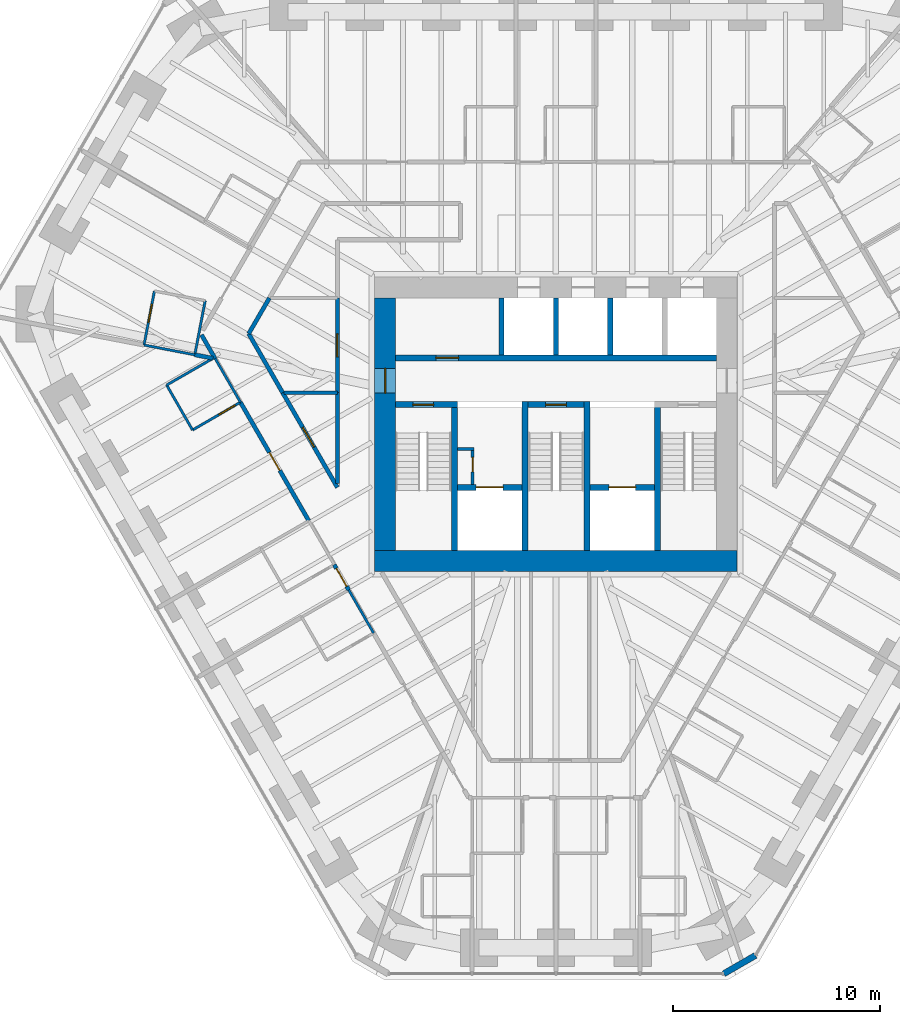
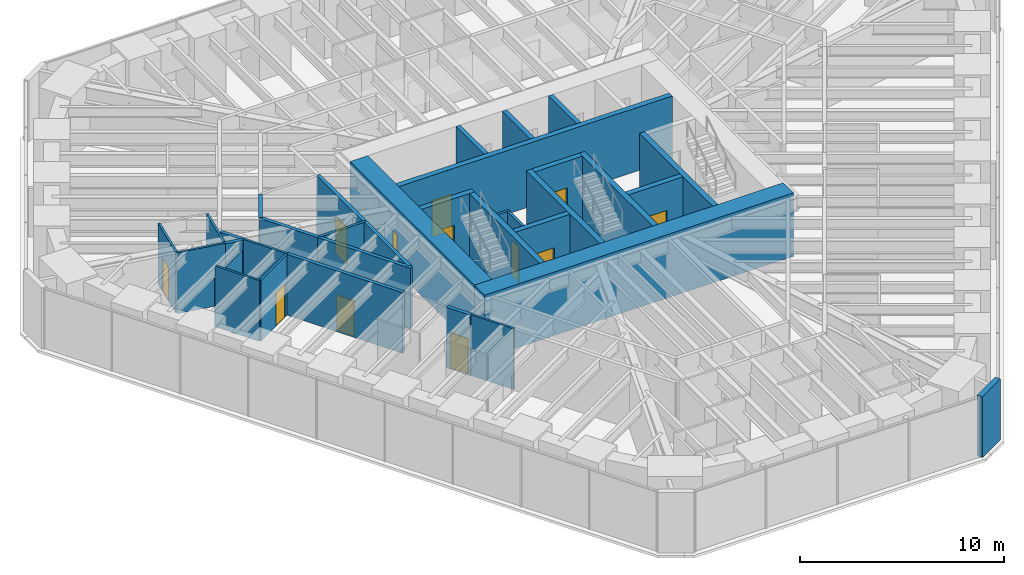
# One storey, part 12 of 16: 35 walls, 13 doors, 13 openings.
"""IFC4 building model written with IfcOpenShell, lengths in metres."""

from ifc_helpers import new_model, si_unit, direction, frame, frame_2d, origin, place, context, subcontext, project, spatial, rectangle, extrude, material, layer, layer_set, type_object, element, fill, save


model = new_model("IFC4")

# Units and contexts
model_context = context("Model", 3, precision=1e-05, world=origin(), true_north=direction((0.0, 1.0)))
body_context = subcontext(model_context, "Body", "Model", "MODEL_VIEW")
ifc_project = project(units=[si_unit("LENGTHUNIT", "METRE"), si_unit("AREAUNIT", "SQUARE_METRE"), si_unit("VOLUMEUNIT", "CUBIC_METRE"), si_unit("PLANEANGLEUNIT", "RADIAN"), si_unit("MASSUNIT", "GRAM", prefix="KILO")], contexts=[model_context])

# Site, building, storey
site_placement = place(None, origin())
site = spatial("IfcSite", under=ifc_project, at=site_placement, CompositionType="ELEMENT")
building_placement = place(site_placement, origin())
building = spatial("IfcBuilding", under=site, at=building_placement, Name="Sandreach Pilgrim Tower", CompositionType="ELEMENT")
storey_placement = place(building_placement, frame((0.0, 0.0, 183.199951171875)))
storey = spatial("IfcBuildingStorey", under=building, at=storey_placement, Name="L45", CompositionType="ELEMENT", Elevation=183.199951171875)

# Walls
ifc_material_1 = material(Name="Gypsum board on steel studs", Category="steel")
ifc_layer_1 = layer(ifc_material_1, 0.14990234375)
ifc_layer_set_1 = layer_set([ifc_layer_1], Name="Back of house wall 150")
wall_type_1 = type_object("IfcWallType", Name="Back of house wall 150", PredefinedType="PARTITIONING", material=ifc_layer_set_1)
wall_1_placement = place(storey_placement, frame((-10.550048828125, 1.52001953125, 0.0), z_axis=(0.0, 0.0, 1.0), x_axis=(-1.0, 0.0, 0.0)))
element("IfcWall", 1, at=wall_1_placement, inside=storey, type_object=wall_type_1, Name="Back of house wall L45-039", PredefinedType="PARTITIONING", context=body_context, shape_type="SweptSolid", body=[
    extrude(rectangle(XDim=2.5849609375, YDim=0.14990234375, at=frame_2d((1.29248046875, 0.0))), origin(), (0.0, 0.0, 1.0), 3.64013671875),
])
ifc_material_2 = material(Name="Moisture-resistant gypsum board on steel studs", Category="steel")
ifc_layer_2 = layer(ifc_material_2, 0.1201171875)
ifc_layer_set_2 = layer_set([ifc_layer_2], Name="Bathroom partition 120")
wall_type_2 = type_object("IfcWallType", Name="Bathroom partition 120", PredefinedType="PARTITIONING", material=ifc_layer_set_2)
wall_2_placement = place(storey_placement, frame((-19.88134765625, 3.82275390625, 0.0), z_axis=(0.0, 0.0, 1.0), x_axis=(0.981896775229, -0.189416796496, 0.0)))
element("IfcWall", 2, at=wall_2_placement, inside=storey, type_object=wall_type_2, Name="Bathroom partition L45-002", PredefinedType="PARTITIONING", context=body_context, shape_type="SweptSolid", body=[
    extrude(rectangle(XDim=2.49658203125, YDim=0.1201171875, at=frame_2d((1.248291015625, 0.0))), origin(), (0.0, 0.0, 1.0), 3.64013671875),
])

# Wall, opening, door
wall_3_placement = place(storey_placement, frame((-19.3798828125, 6.429931640625, 0.0), z_axis=(0.0, 0.0, 1.0), x_axis=(-0.18885765444, -0.982004473696, 0.0)))
wall_3 = element("IfcWall", 3, at=wall_3_placement, inside=storey, type_object=wall_type_2, Name="Bathroom partition L45-003", PredefinedType="PARTITIONING", context=body_context, shape_type="SweptSolid", body=[
    extrude(rectangle(XDim=2.6474609375, YDim=0.1201171875, at=frame_2d((1.32373046875, 0.0))), origin(), (0.0, 0.0, 1.0), 3.64013671875),
])
opening_1_placement = place(wall_3_placement, frame((0.64990234375, 0.0, 0.0)))
opening_1 = element("IfcOpeningElement", 4, at=opening_1_placement, cuts=wall_3, Name="Opening D09-16B", PredefinedType="OPENING", context=body_context, shape_type="SweptSolid", body=[
    extrude(rectangle(XDim=0.89990234375, YDim=2.030029296875, at=frame_2d((0.449951171875, 1.01513671875))), frame((0.0, 0.06005859375, 0.0), z_axis=(0.0, -1.0, 0.0), x_axis=(1.0, 0.0, 0.0)), (0.0, 0.0, 1.0), 0.1201171875),
])
ifc_material_3 = material(Name="Timber door, steel frame", Category="steel")
door_type_1 = type_object("IfcDoorType", Name="Bathroom door", OperationType="SINGLE_SWING_LEFT", PredefinedType="DOOR", material=ifc_material_3)
door_1_placement = place(opening_1_placement, origin())
door_1 = element("IfcDoor", 5, at=door_1_placement, inside=storey, type_object=door_type_1, Name="Door 4516B", OperationType="SINGLE_SWING_LEFT", OverallHeight=2.030029296875, OverallWidth=0.89990234375, PredefinedType="DOOR", context=body_context, shape_type="SweptSolid", body=[
    extrude(rectangle(XDim=0.89990234375, YDim=2.030029296875, at=frame_2d((0.449951171875, 1.01513671875))), frame((0.0, 0.02490234375, 0.0), z_axis=(0.0, -1.0, 0.0), x_axis=(1.0, 0.0, 0.0)), (0.0, 0.0, 1.0), 0.050048828125),
])
fill(opening_1, door_1)

# Wall
wall_4_placement = place(storey_placement, frame((-18.7900390625, 1.889892578125, 0.0), z_axis=(0.0, 0.0, 1.0), x_axis=(0.499159685399, -0.866510016372, 0.0)))
element("IfcWall", 6, at=wall_4_placement, inside=storey, type_object=wall_type_2, Name="Bathroom partition L45-005", PredefinedType="PARTITIONING", context=body_context, shape_type="SweptSolid", body=[
    extrude(rectangle(XDim=2.504150390625, YDim=0.1201171875, at=frame_2d((1.251953125, 0.0))), origin(), (0.0, 0.0, 1.0), 3.64013671875),
])

# Wall, opening, door
wall_5_placement = place(storey_placement, frame((-17.5400390625, -0.280029296875, 0.0), z_axis=(0.0, 0.0, 1.0), x_axis=(0.86498992408, 0.501789229896, 0.0)))
wall_5 = element("IfcWall", 7, at=wall_5_placement, inside=storey, type_object=wall_type_2, Name="Bathroom partition L45-006", PredefinedType="PARTITIONING", context=body_context, shape_type="SweptSolid", body=[
    extrude(rectangle(XDim=2.670654296875, YDim=0.1201171875, at=frame_2d((1.33544921875, 0.0))), origin(), (0.0, 0.0, 1.0), 3.64013671875),
])
opening_2_placement = place(wall_5_placement, frame((1.470458984375, 0.0, 0.0)))
opening_2 = element("IfcOpeningElement", 8, at=opening_2_placement, cuts=wall_5, Name="Opening D09-15B", PredefinedType="OPENING", context=body_context, shape_type="SweptSolid", body=[
    extrude(rectangle(XDim=0.89990234375, YDim=2.030029296875, at=frame_2d((0.449951171875, 1.01513671875))), frame((0.0, 0.06005859375, 0.0), z_axis=(0.0, -1.0, 0.0), x_axis=(1.0, 0.0, 0.0)), (0.0, 0.0, 1.0), 0.1201171875),
])
door_2_placement = place(opening_2_placement, origin())
door_2 = element("IfcDoor", 9, at=door_2_placement, inside=storey, type_object=door_type_1, Name="Door 4515B", OperationType="SINGLE_SWING_RIGHT", OverallHeight=2.030029296875, OverallWidth=0.89990234375, PredefinedType="DOOR", context=body_context, shape_type="SweptSolid", body=[
    extrude(rectangle(XDim=0.89990234375, YDim=2.030029296875, at=frame_2d((0.449951171875, 1.01513671875))), frame((0.0, 0.02490234375, 0.0), z_axis=(0.0, -1.0, 0.0), x_axis=(1.0, 0.0, 0.0)), (0.0, 0.0, 1.0), 0.050048828125),
])
fill(opening_2, door_2)

# Walls
wall_6_placement = place(storey_placement, frame((-17.429931640625, 3.35009765625, 0.0), z_axis=(0.0, 0.0, 1.0), x_axis=(0.188159009227, 0.982138578433, 0.0)))
element("IfcWall", 10, at=wall_6_placement, inside=storey, type_object=wall_type_2, Name="Bathroom partition L45-007", PredefinedType="PARTITIONING", context=body_context, shape_type="SweptSolid", body=[
    extrude(rectangle(XDim=2.6572265625, YDim=0.1201171875, at=frame_2d((1.32861328125, 0.0))), origin(), (0.0, 0.0, 1.0), 3.64013671875),
])
wall_7_placement = place(storey_placement, frame((-16.623779296875, 3.1376953125, 0.0), z_axis=(0.0, 0.0, 1.0), x_axis=(-0.866525185869, -0.499133351175, 0.0)))
element("IfcWall", 11, at=wall_7_placement, inside=storey, type_object=wall_type_2, Name="Bathroom partition L45-014", PredefinedType="PARTITIONING", context=body_context, shape_type="SweptSolid", body=[
    extrude(rectangle(XDim=2.5, YDim=0.1201171875, at=frame_2d((1.25, 0.0))), origin(), (0.0, 0.0, 1.0), 3.0380859375),
])
wall_8_placement = place(storey_placement, frame((-16.44677734375, 3.171875, 0.0), z_axis=(0.0, 0.0, 1.0), x_axis=(0.500329330271, -0.865835181354, 0.0)))
element("IfcWall", 12, at=wall_8_placement, inside=storey, type_object=wall_type_2, Name="Bathroom partition L45-015", PredefinedType="PARTITIONING", context=body_context, shape_type="SweptSolid", body=[
    extrude(rectangle(XDim=2.437255859375, YDim=0.1201171875, at=frame_2d((1.21875, 0.0))), origin(), (0.0, 0.0, 1.0), 3.64013671875),
])
wall_9_placement = place(storey_placement, frame((-10.0, -8.0, 0.0), z_axis=(0.0, 0.0, 1.0), x_axis=(0.499693115345, -0.866202511239, 0.0)))
element("IfcWall", 13, at=wall_9_placement, inside=storey, type_object=wall_type_2, Name="Bathroom partition L45-043", PredefinedType="PARTITIONING", context=body_context, shape_type="SweptSolid", body=[
    extrude(rectangle(XDim=2.4013671875, YDim=0.1201171875, at=frame_2d((1.20068359375, 0.0))), origin(), (0.0, 0.0, 1.0), 3.64013671875),
])
ifc_material_4 = material(Name="Concrete 10000 psi", Category="concrete")
ifc_layer_3 = layer(ifc_material_4, 0.300048828125)
ifc_layer_set_3 = layer_set([ifc_layer_3], Name="Core inner wall 300")
wall_type_3 = type_object("IfcWallType", Name="Core inner wall 300", PredefinedType="SHEAR", material=ifc_layer_set_3)
for number, where, z_axis, x_axis, name in (
    (14, (-4.89990234375, -6.10009765625, 0.0), (0.0, 0.0, 1.0), (0.0, 1.0, 0.0), "Core wall I0 L45"),
    (15, (-1.5, -6.10009765625, 0.0), (0.0, 0.0, 1.0), (0.0, 1.0, 0.0), "Core wall I1 L45"),
    (16, (1.5, -6.10009765625, 0.0), (0.0, 0.0, 1.0), (0.0, 1.0, 0.0), "Core wall I2 L45"),
    (17, (4.89990234375, -6.10009765625, 0.0), (0.0, 0.0, 1.0), (0.0, 1.0, 0.0), "Core wall I3 L45"),
):
    element("IfcWall", number, at=place(storey_placement, frame(where, z_axis=z_axis, x_axis=x_axis)), inside=storey, type_object=wall_type_3, Name=name, PredefinedType="SHEAR", context=body_context, shape_type="SweptSolid", body=[
        extrude(rectangle(XDim=7.2001953125, YDim=0.300048828125, at=frame_2d((3.60009765625, 0.0))), origin(), (0.0, 0.0, 1.0), 3.800048828125),
    ])

# Wall, opening, door
wall_10_placement = place(storey_placement, frame((-7.75, 0.949951171875, 0.0), z_axis=(0.0, 0.0, 1.0), x_axis=(1.0, 0.0, 0.0)))
wall_10 = element("IfcWall", 18, at=wall_10_placement, inside=storey, type_object=wall_type_3, Name="Core wall SN1 L45", PredefinedType="SHEAR", context=body_context, shape_type="SweptSolid", body=[
    extrude(rectangle(XDim=3.0, YDim=0.300048828125, at=frame_2d((1.5, 0.0))), origin(), (0.0, 0.0, 1.0), 3.800048828125),
])
opening_3_placement = place(wall_10_placement, frame((0.85009765625, 0.0, 0.0)))
opening_3 = element("IfcOpeningElement", 19, at=opening_3_placement, cuts=wall_10, Name="Opening D10S-ST1", PredefinedType="OPENING", context=body_context, shape_type="SweptSolid", body=[
    extrude(rectangle(XDim=1.0, YDim=2.199951171875, at=frame_2d((0.5, 1.10009765625))), frame((0.0, 0.14990234375, 0.0), z_axis=(0.0, -1.0, 0.0), x_axis=(1.0, 0.0, 0.0)), (0.0, 0.0, 1.0), 0.300048828125),
])
ifc_material_5 = material(Name="Steel door and frame", Category="steel")
door_type_2 = type_object("IfcDoorType", Name="Stair door", OperationType="SINGLE_SWING_LEFT", PredefinedType="DOOR", material=ifc_material_5)
door_3_placement = place(opening_3_placement, origin())
door_3 = element("IfcDoor", 20, at=door_3_placement, inside=storey, type_object=door_type_2, Name="Stair door ST1 L45", OperationType="SINGLE_SWING_LEFT", OverallHeight=2.199951171875, OverallWidth=1.0, PredefinedType="DOOR", context=body_context, shape_type="SweptSolid", body=[
    extrude(rectangle(XDim=1.0, YDim=2.199951171875, at=frame_2d((0.5, 1.10009765625))), frame((0.0, 0.02490234375, 0.0), z_axis=(0.0, -1.0, 0.0), x_axis=(1.0, 0.0, 0.0)), (0.0, 0.0, 1.0), 0.050048828125),
])
fill(opening_3, door_3)

wall_11_placement = place(storey_placement, frame((-1.35009765625, 0.949951171875, 0.0), z_axis=(0.0, 0.0, 1.0), x_axis=(1.0, 0.0, 0.0)))
wall_11 = element("IfcWall", 21, at=wall_11_placement, inside=storey, type_object=wall_type_3, Name="Core wall SN3 L45", PredefinedType="SHEAR", context=body_context, shape_type="SweptSolid", body=[
    extrude(rectangle(XDim=2.7001953125, YDim=0.300048828125, at=frame_2d((1.35009765625, 0.0))), origin(), (0.0, 0.0, 1.0), 3.800048828125),
])
opening_4_placement = place(wall_11_placement, frame((0.85009765625, 0.0, 0.0)))
opening_4 = element("IfcOpeningElement", 22, at=opening_4_placement, cuts=wall_11, Name="Opening D10S-ST3", PredefinedType="OPENING", context=body_context, shape_type="SweptSolid", body=[
    extrude(rectangle(XDim=1.0, YDim=2.199951171875, at=frame_2d((0.5, 1.10009765625))), frame((0.0, 0.14990234375, 0.0), z_axis=(0.0, -1.0, 0.0), x_axis=(1.0, 0.0, 0.0)), (0.0, 0.0, 1.0), 0.300048828125),
])
door_4_placement = place(opening_4_placement, origin())
door_4 = element("IfcDoor", 23, at=door_4_placement, inside=storey, type_object=door_type_2, Name="Stair door ST3 L45", OperationType="SINGLE_SWING_LEFT", OverallHeight=2.199951171875, OverallWidth=1.0, PredefinedType="DOOR", context=body_context, shape_type="SweptSolid", body=[
    extrude(rectangle(XDim=1.0, YDim=2.199951171875, at=frame_2d((0.5, 1.10009765625))), frame((0.0, 0.02490234375, 0.0), z_axis=(0.0, -1.0, 0.0), x_axis=(1.0, 0.0, 0.0)), (0.0, 0.0, 1.0), 0.050048828125),
])
fill(opening_4, door_4)

wall_12_placement = place(storey_placement, frame((-4.75, -3.050048828125, 0.0), z_axis=(0.0, 0.0, 1.0), x_axis=(1.0, 0.0, 0.0)))
wall_12 = element("IfcWall", 24, at=wall_12_placement, inside=storey, type_object=wall_type_3, Name="Core wall FL1 L45", PredefinedType="SHEAR", context=body_context, shape_type="SweptSolid", body=[
    extrude(rectangle(XDim=3.10009765625, YDim=0.300048828125, at=frame_2d((1.550048828125, 0.0))), origin(), (0.0, 0.0, 1.0), 3.800048828125),
])
opening_5_placement = place(wall_12_placement, frame((0.89990234375, 0.0, 0.0)))
opening_5 = element("IfcOpeningElement", 25, at=opening_5_placement, cuts=wall_12, Name="Opening LD13", PredefinedType="OPENING", context=body_context, shape_type="SweptSolid", body=[
    extrude(rectangle(XDim=1.300048828125, YDim=2.10009765625, at=frame_2d((0.64990234375, 1.050048828125))), frame((0.0, 0.14990234375, 0.0), z_axis=(0.0, -1.0, 0.0), x_axis=(1.0, 0.0, 0.0)), (0.0, 0.0, 1.0), 0.300048828125),
])
ifc_material_6 = material(Name="Steel door and frame", Category="steel")
door_type_3 = type_object("IfcDoorType", Name="Fire service lift landing door", OperationType="DOUBLE_DOOR_SLIDING", PredefinedType="DOOR", material=ifc_material_6)
door_5_placement = place(opening_5_placement, origin())
door_5 = element("IfcDoor", 26, at=door_5_placement, inside=storey, type_object=door_type_3, Name="Lift landing door FS1 L45", OperationType="DOUBLE_DOOR_SLIDING", OverallHeight=2.10009765625, OverallWidth=1.300048828125, PredefinedType="DOOR", context=body_context, shape_type="SweptSolid", body=[
    extrude(rectangle(XDim=1.300048828125, YDim=2.10009765625, at=frame_2d((0.64990234375, 1.050048828125))), frame((0.0, 0.02490234375, 0.0), z_axis=(0.0, -1.0, 0.0), x_axis=(1.0, 0.0, 0.0)), (0.0, 0.0, 1.0), 0.050048828125),
])
fill(opening_5, door_5)

wall_13_placement = place(storey_placement, frame((1.64990234375, -3.050048828125, 0.0), z_axis=(0.0, 0.0, 1.0), x_axis=(1.0, 0.0, 0.0)))
wall_13 = element("IfcWall", 27, at=wall_13_placement, inside=storey, type_object=wall_type_3, Name="Core wall FL2 L45", PredefinedType="SHEAR", context=body_context, shape_type="SweptSolid", body=[
    extrude(rectangle(XDim=3.10009765625, YDim=0.300048828125, at=frame_2d((1.550048828125, 0.0))), origin(), (0.0, 0.0, 1.0), 3.800048828125),
])
opening_6_placement = place(wall_13_placement, frame((0.89990234375, 0.0, 0.0)))
opening_6 = element("IfcOpeningElement", 28, at=opening_6_placement, cuts=wall_13, Name="Opening LD13", PredefinedType="OPENING", context=body_context, shape_type="SweptSolid", body=[
    extrude(rectangle(XDim=1.300048828125, YDim=2.10009765625, at=frame_2d((0.64990234375, 1.050048828125))), frame((0.0, 0.14990234375, 0.0), z_axis=(0.0, -1.0, 0.0), x_axis=(1.0, 0.0, 0.0)), (0.0, 0.0, 1.0), 0.300048828125),
])
door_6_placement = place(opening_6_placement, origin())
door_6 = element("IfcDoor", 29, at=door_6_placement, inside=storey, type_object=door_type_3, Name="Lift landing door FS2 L45", OperationType="DOUBLE_DOOR_SLIDING", OverallHeight=2.10009765625, OverallWidth=1.300048828125, PredefinedType="DOOR", context=body_context, shape_type="SweptSolid", body=[
    extrude(rectangle(XDim=1.300048828125, YDim=2.10009765625, at=frame_2d((0.64990234375, 1.050048828125))), frame((0.0, 0.02490234375, 0.0), z_axis=(0.0, -1.0, 0.0), x_axis=(1.0, 0.0, 0.0)), (0.0, 0.0, 1.0), 0.050048828125),
])
fill(opening_6, door_6)

wall_14_placement = place(storey_placement, frame((-7.75, 3.199951171875, 0.0), z_axis=(0.0, 0.0, 1.0), x_axis=(1.0, 0.0, 0.0)))
wall_14 = element("IfcWall", 30, at=wall_14_placement, inside=storey, type_object=wall_type_3, Name="Core wall PN L45", PredefinedType="SHEAR", context=body_context, shape_type="SweptSolid", body=[
    extrude(rectangle(XDim=15.5, YDim=0.300048828125, at=frame_2d((7.75, 0.0))), origin(), (0.0, 0.0, 1.0), 3.800048828125),
])
opening_7_placement = place(wall_14_placement, frame((1.949951171875, 0.0, 0.0)))
opening_7 = element("IfcOpeningElement", 31, at=opening_7_placement, cuts=wall_14, Name="Opening D11L", PredefinedType="OPENING", context=body_context, shape_type="SweptSolid", body=[
    extrude(rectangle(XDim=1.10009765625, YDim=2.199951171875, at=frame_2d((0.550048828125, 1.10009765625))), frame((0.0, 0.14990234375, 0.0), z_axis=(0.0, -1.0, 0.0), x_axis=(1.0, 0.0, 0.0)), (0.0, 0.0, 1.0), 0.300048828125),
])
ifc_material_7 = material(Name="Steel door and frame, smoke seals", Category="steel")
door_type_4 = type_object("IfcDoorType", Name="Core room door", OperationType="SINGLE_SWING_LEFT", PredefinedType="DOOR", material=ifc_material_7)
door_7_placement = place(opening_7_placement, origin())
door_7 = element("IfcDoor", 32, at=door_7_placement, inside=storey, type_object=door_type_4, Name="Door linen and housekeeping store 45K1", OperationType="SINGLE_SWING_LEFT", OverallHeight=2.199951171875, OverallWidth=1.10009765625, PredefinedType="DOOR", context=body_context, shape_type="SweptSolid", body=[
    extrude(rectangle(XDim=1.10009765625, YDim=2.199951171875, at=frame_2d((0.550048828125, 1.10009765625))), frame((0.0, 0.02490234375, 0.0), z_axis=(0.0, -1.0, 0.0), x_axis=(1.0, 0.0, 0.0)), (0.0, 0.0, 1.0), 0.050048828125),
])
fill(opening_7, door_7)

# Wall
ifc_material_8 = material(Name="Concrete 10000 psi", Category="concrete")
ifc_layer_4 = layer(ifc_material_8, 1.0)
ifc_layer_set_4 = layer_set([ifc_layer_4], Name="Core wall 1000")
wall_type_4 = type_object("IfcWallType", Name="Core wall 1000", PredefinedType="SHEAR", material=ifc_layer_set_4)
wall_15_placement = place(storey_placement, frame((-8.75, -6.60009765625, 0.0), z_axis=(0.0, 0.0, 1.0), x_axis=(1.0, 0.0, 0.0)))
element("IfcWall", 33, at=wall_15_placement, inside=storey, type_object=wall_type_4, Name="Core wall S L45", PredefinedType="SHEAR", context=body_context, shape_type="SweptSolid", body=[
    extrude(rectangle(XDim=17.5, YDim=1.0, at=frame_2d((8.75, 0.0))), origin(), (0.0, 0.0, 1.0), 3.800048828125),
])

# Wall, opening, door
wall_16_placement = place(storey_placement, frame((-8.25, -6.10009765625, 0.0), z_axis=(0.0, 0.0, 1.0), x_axis=(0.0, 1.0, 0.0)))
wall_16 = element("IfcWall", 34, at=wall_16_placement, inside=storey, type_object=wall_type_4, Name="Core wall W L45", PredefinedType="SHEAR", context=body_context, shape_type="SweptSolid", body=[
    extrude(rectangle(XDim=12.2001953125, YDim=1.0, at=frame_2d((6.10009765625, 0.0))), origin(), (0.0, 0.0, 1.0), 3.800048828125),
])
opening_8_placement = place(wall_16_placement, frame((7.60009765625, 0.0, 0.0)))
opening_8 = element("IfcOpeningElement", 35, at=opening_8_placement, cuts=wall_16, Name="Opening D12F-W", PredefinedType="OPENING", context=body_context, shape_type="SweptSolid", body=[
    extrude(rectangle(XDim=1.199951171875, YDim=2.199951171875, at=frame_2d((0.60009765625, 1.10009765625))), frame((0.0, 0.5, 0.0), z_axis=(0.0, -1.0, 0.0), x_axis=(1.0, 0.0, 0.0)), (0.0, 0.0, 1.0), 1.0),
])
ifc_material_9 = material(Name="Steel door and frame", Category="steel")
door_type_5 = type_object("IfcDoorType", Name="Fire lobby door", OperationType="SINGLE_SWING_LEFT", PredefinedType="DOOR", material=ifc_material_9)
door_8_placement = place(opening_8_placement, origin())
door_8 = element("IfcDoor", 36, at=door_8_placement, inside=storey, type_object=door_type_5, Name="Fire service lobby door W L45", OperationType="SINGLE_SWING_RIGHT", OverallHeight=2.199951171875, OverallWidth=1.199951171875, PredefinedType="DOOR", context=body_context, shape_type="SweptSolid", body=[
    extrude(rectangle(XDim=1.199951171875, YDim=2.199951171875, at=frame_2d((0.60009765625, 1.10009765625))), frame((0.0, 0.02490234375, 0.0), z_axis=(0.0, -1.0, 0.0), x_axis=(1.0, 0.0, 0.0)), (0.0, 0.0, 1.0), 0.050048828125),
])
fill(opening_8, door_8)

# Wall
ifc_material_10 = material(Name="Gypsum board on steel studs, two layers each side", Category="steel")
ifc_layer_5 = layer(ifc_material_10, 0.199951171875)
ifc_layer_set_5 = layer_set([ifc_layer_5], Name="Corridor wall 200")
wall_type_5 = type_object("IfcWallType", Name="Corridor wall 200", PredefinedType="PARTITIONING", material=ifc_layer_set_5)
wall_17_placement = place(storey_placement, frame((-17.107666015625, 4.313720703125, 0.0), z_axis=(0.0, 0.0, 1.0), x_axis=(0.498488506644, -0.866896307954, 0.0)))
element("IfcWall", 37, at=wall_17_placement, inside=storey, type_object=wall_type_5, Name="Corridor wall L45-010", PredefinedType="PARTITIONING", context=body_context, shape_type="SweptSolid", body=[
    extrude(rectangle(XDim=1.3193359375, YDim=0.199951171875, at=frame_2d((0.65966796875, 0.0))), origin(), (0.0, 0.0, 1.0), 3.64013671875),
])

# Wall, opening, door
wall_18_placement = place(storey_placement, frame((-15.22998046875, 1.06005859375, 0.0), z_axis=(0.0, 0.0, 1.0), x_axis=(0.499729921425, -0.866181277581, 0.0)))
wall_18 = element("IfcWall", 38, at=wall_18_placement, inside=storey, type_object=wall_type_5, Name="Corridor wall L45-017", PredefinedType="PARTITIONING", context=body_context, shape_type="SweptSolid", body=[
    extrude(rectangle(XDim=6.603759765625, YDim=0.199951171875, at=frame_2d((3.3017578125, 0.0))), origin(), (0.0, 0.0, 1.0), 3.64013671875),
])
opening_9_placement = place(wall_18_placement, frame((2.802001953125, 0.0, 0.0)))
opening_9 = element("IfcOpeningElement", 39, at=opening_9_placement, cuts=wall_18, Name="Opening D10-15", PredefinedType="OPENING", context=body_context, shape_type="SweptSolid", body=[
    extrude(rectangle(XDim=1.0, YDim=2.1298828125, at=frame_2d((0.5, 1.06494140625))), frame((0.0, 0.10009765625, 0.0), z_axis=(0.0, -1.0, 0.0), x_axis=(1.0, 0.0, 0.0)), (0.0, 0.0, 1.0), 0.199951171875),
])
ifc_material_11 = material(Name="Steel door and frame", Category="steel")
door_type_6 = type_object("IfcDoorType", Name="Guest room entry door", OperationType="SINGLE_SWING_LEFT", PredefinedType="DOOR", material=ifc_material_11)
door_9_placement = place(opening_9_placement, origin())
door_9 = element("IfcDoor", 40, at=door_9_placement, inside=storey, type_object=door_type_6, Name="Door 4515", OperationType="SINGLE_SWING_LEFT", OverallHeight=2.1298828125, OverallWidth=1.0, PredefinedType="DOOR", context=body_context, shape_type="SweptSolid", body=[
    extrude(rectangle(XDim=1.0, YDim=2.1298828125, at=frame_2d((0.5, 1.06494140625))), frame((0.0, 0.02490234375, 0.0), z_axis=(0.0, -1.0, 0.0), x_axis=(1.0, 0.0, 0.0)), (0.0, 0.0, 1.0), 0.050048828125),
])
fill(opening_9, door_9)

# Walls
wall_19_placement = place(storey_placement, frame((-14.830078125, 4.3701171875, 0.0), z_axis=(0.0, 0.0, 1.0), x_axis=(0.502626855825, 0.864503466623, 0.0)))
element("IfcWall", 41, at=wall_19_placement, inside=storey, type_object=wall_type_5, Name="Corridor wall L45-019", PredefinedType="PARTITIONING", context=body_context, shape_type="SweptSolid", body=[
    extrude(rectangle(XDim=1.989501953125, YDim=0.199951171875, at=frame_2d((0.99462890625, 0.0))), origin(), (0.0, 0.0, 1.0), 3.64013671875),
])
wall_20_placement = place(storey_placement, frame((-13.18994140625, 1.52001953125, 0.0), z_axis=(0.0, 0.0, 1.0), x_axis=(-0.498775186059, 0.866731396554, 0.0)))
element("IfcWall", 42, at=wall_20_placement, inside=storey, type_object=wall_type_5, Name="Corridor wall L45-028", PredefinedType="PARTITIONING", context=body_context, shape_type="SweptSolid", body=[
    extrude(rectangle(XDim=3.288330078125, YDim=0.199951171875, at=frame_2d((1.64404296875, 0.0))), origin(), (0.0, 0.0, 1.0), 3.64013671875),
])

# Wall, opening, door
wall_21_placement = place(storey_placement, frame((-10.699951171875, -6.780029296875, 0.0), z_axis=(0.0, 0.0, 1.0), x_axis=(0.49643800013, -0.868072181346, 0.0)))
wall_21 = element("IfcWall", 43, at=wall_21_placement, inside=storey, type_object=wall_type_5, Name="Corridor wall L45-037", PredefinedType="PARTITIONING", context=body_context, shape_type="SweptSolid", body=[
    extrude(rectangle(XDim=1.406494140625, YDim=0.199951171875, at=frame_2d((0.703125, 0.0))), origin(), (0.0, 0.0, 1.0), 3.64013671875),
])
opening_10_placement = place(wall_21_placement, frame((0.203369140625, 0.0, 0.0)))
opening_10 = element("IfcOpeningElement", 44, at=opening_10_placement, cuts=wall_21, Name="Opening D10-14", PredefinedType="OPENING", context=body_context, shape_type="SweptSolid", body=[
    extrude(rectangle(XDim=1.0, YDim=2.1298828125, at=frame_2d((0.5, 1.06494140625))), frame((0.0, 0.10009765625, 0.0), z_axis=(0.0, -1.0, 0.0), x_axis=(1.0, 0.0, 0.0)), (0.0, 0.0, 1.0), 0.199951171875),
])
door_10_placement = place(opening_10_placement, origin())
door_10 = element("IfcDoor", 45, at=door_10_placement, inside=storey, type_object=door_type_6, Name="Door 4514", OperationType="SINGLE_SWING_LEFT", OverallHeight=2.1298828125, OverallWidth=1.0, PredefinedType="DOOR", context=body_context, shape_type="SweptSolid", body=[
    extrude(rectangle(XDim=1.0, YDim=2.1298828125, at=frame_2d((0.5, 1.06494140625))), frame((0.0, 0.02490234375, 0.0), z_axis=(0.0, -1.0, 0.0), x_axis=(1.0, 0.0, 0.0)), (0.0, 0.0, 1.0), 0.050048828125),
])
fill(opening_10, door_10)

wall_22_placement = place(storey_placement, frame((-10.550048828125, -3.050048828125, 0.0), z_axis=(0.0, 0.0, 1.0), x_axis=(-0.500193590286, 0.865913605527, 0.0)))
wall_22 = element("IfcWall", 46, at=wall_22_placement, inside=storey, type_object=wall_type_5, Name="Corridor wall L45-038", PredefinedType="PARTITIONING", context=body_context, shape_type="SweptSolid", body=[
    extrude(rectangle(XDim=5.27783203125, YDim=0.199951171875, at=frame_2d((2.638916015625, 0.0))), origin(), (0.0, 0.0, 1.0), 3.64013671875),
])
opening_11_placement = place(wall_22_placement, frame((2.25, 0.0, 0.0)))
opening_11 = element("IfcOpeningElement", 47, at=opening_11_placement, cuts=wall_22, Name="Opening D11H-M02", PredefinedType="OPENING", context=body_context, shape_type="SweptSolid", body=[
    extrude(rectangle(XDim=1.10009765625, YDim=2.199951171875, at=frame_2d((0.550048828125, 1.10009765625))), frame((0.0, 0.10009765625, 0.0), z_axis=(0.0, -1.0, 0.0), x_axis=(1.0, 0.0, 0.0)), (0.0, 0.0, 1.0), 0.199951171875),
])
ifc_material_12 = material(Name="Steel door and frame", Category="steel")
door_type_7 = type_object("IfcDoorType", Name="Back of house door", OperationType="SINGLE_SWING_LEFT", PredefinedType="DOOR", material=ifc_material_12)
door_11_placement = place(opening_11_placement, origin())
door_11 = element("IfcDoor", 48, at=door_11_placement, inside=storey, type_object=door_type_7, Name="Door 45M02", OperationType="SINGLE_SWING_RIGHT", OverallHeight=2.199951171875, OverallWidth=1.10009765625, PredefinedType="DOOR", context=body_context, shape_type="SweptSolid", body=[
    extrude(rectangle(XDim=1.10009765625, YDim=2.199951171875, at=frame_2d((0.550048828125, 1.10009765625))), frame((0.0, 0.02490234375, 0.0), z_axis=(0.0, -1.0, 0.0), x_axis=(1.0, 0.0, 0.0)), (0.0, 0.0, 1.0), 0.050048828125),
])
fill(opening_11, door_11)

# Wall
wall_23_placement = place(storey_placement, frame((-10.550048828125, 1.52001953125, 0.0), z_axis=(0.0, 0.0, 1.0), x_axis=(0.0, -1.0, 0.0)))
element("IfcWall", 49, at=wall_23_placement, inside=storey, type_object=wall_type_5, Name="Corridor wall L45-040", PredefinedType="PARTITIONING", context=body_context, shape_type="SweptSolid", body=[
    extrude(rectangle(XDim=4.375, YDim=0.199951171875, at=frame_2d((2.1875, 0.0))), origin(), (0.0, 0.0, 1.0), 3.64013671875),
])

# Wall, opening, door
wall_24_placement = place(storey_placement, frame((-10.550048828125, 6.090087890625, 0.0), z_axis=(0.0, 0.0, 1.0), x_axis=(0.0, -1.0, 0.0)))
wall_24 = element("IfcWall", 50, at=wall_24_placement, inside=storey, type_object=wall_type_5, Name="Corridor wall L45-041", PredefinedType="PARTITIONING", context=body_context, shape_type="SweptSolid", body=[
    extrude(rectangle(XDim=4.570068359375, YDim=0.199951171875, at=frame_2d((2.28515625, 0.0))), origin(), (0.0, 0.0, 1.0), 3.64013671875),
])
opening_12_placement = place(wall_24_placement, frame((1.735107421875, 0.0, 0.0)))
opening_12 = element("IfcOpeningElement", 51, at=opening_12_placement, cuts=wall_24, Name="Opening D11H-M01", PredefinedType="OPENING", context=body_context, shape_type="SweptSolid", body=[
    extrude(rectangle(XDim=1.10009765625, YDim=2.199951171875, at=frame_2d((0.550048828125, 1.10009765625))), frame((0.0, 0.10009765625, 0.0), z_axis=(0.0, -1.0, 0.0), x_axis=(1.0, 0.0, 0.0)), (0.0, 0.0, 1.0), 0.199951171875),
])
door_12_placement = place(opening_12_placement, origin())
door_12 = element("IfcDoor", 52, at=door_12_placement, inside=storey, type_object=door_type_7, Name="Door 45M01", OperationType="SINGLE_SWING_LEFT", OverallHeight=2.199951171875, OverallWidth=1.10009765625, PredefinedType="DOOR", context=body_context, shape_type="SweptSolid", body=[
    extrude(rectangle(XDim=1.10009765625, YDim=2.199951171875, at=frame_2d((0.550048828125, 1.10009765625))), frame((0.0, 0.02490234375, 0.0), z_axis=(0.0, -1.0, 0.0), x_axis=(1.0, 0.0, 0.0)), (0.0, 0.0, 1.0), 0.050048828125),
])
fill(opening_12, door_12)

# Wall
ifc_material_13 = material(Name="Double steel stud acoustic wall, gypsum board", Category="steel")
ifc_layer_6 = layer(ifc_material_13, 0.199951171875)
ifc_layer_set_6 = layer_set([ifc_layer_6], Name="Party wall 200")
wall_type_6 = type_object("IfcWallType", Name="Party wall 200", PredefinedType="PARTITIONING", material=ifc_layer_set_6)
wall_25_placement = place(storey_placement, frame((-17.429931640625, 3.349853515625, 0.0), z_axis=(0.0, 0.0, 1.0), x_axis=(0.981858463983, -0.189615286052, 0.0)))
element("IfcWall", 53, at=wall_25_placement, inside=storey, type_object=wall_type_6, Name="Party wall L45-008", PredefinedType="PARTITIONING", context=body_context, shape_type="SweptSolid", body=[
    extrude(rectangle(XDim=0.896240234375, YDim=0.199951171875, at=frame_2d((0.4482421875, 0.0))), origin(), (0.0, 0.0, 1.0), 3.64013671875),
])

# Wall, opening, door
ifc_material_14 = material(Name="Gypsum shaft wall on steel studs, shaft liner board", Category="steel")
ifc_layer_7 = layer(ifc_material_14, 0.14990234375)
ifc_layer_set_7 = layer_set([ifc_layer_7], Name="Riser shaft wall 150")
wall_type_7 = type_object("IfcWallType", Name="Riser shaft wall 150", PredefinedType="PARTITIONING", material=ifc_layer_set_7)
wall_26_placement = place(storey_placement, frame((-4.02490234375, -2.89990234375, 0.0), z_axis=(0.0, 0.0, 1.0), x_axis=(0.0, 1.0, 0.0)))
wall_26 = element("IfcWall", 54, at=wall_26_placement, inside=storey, type_object=wall_type_7, Name="Riser partition L45 side", PredefinedType="PARTITIONING", context=body_context, shape_type="SweptSolid", body=[
    extrude(rectangle(XDim=1.77490234375, YDim=0.14990234375, at=frame_2d((0.887451171875, 0.0))), origin(), (0.0, 0.0, 1.0), 3.64013671875),
])
opening_13_placement = place(wall_26_placement, frame((0.60009765625, 0.0, 0.0)))
opening_13 = element("IfcOpeningElement", 55, at=opening_13_placement, cuts=wall_26, Name="Opening D07R", PredefinedType="OPENING", context=body_context, shape_type="SweptSolid", body=[
    extrude(rectangle(XDim=0.699951171875, YDim=2.10009765625, at=frame_2d((0.35009765625, 1.050048828125))), frame((0.0, 0.074951171875, 0.0), z_axis=(0.0, -1.0, 0.0), x_axis=(1.0, 0.0, 0.0)), (0.0, 0.0, 1.0), 0.14990234375),
])
ifc_material_15 = material(Name="Steel door and frame, smoke seals", Category="steel")
door_type_8 = type_object("IfcDoorType", Name="Riser access door", OperationType="SINGLE_SWING_RIGHT", PredefinedType="DOOR", material=ifc_material_15)
door_13_placement = place(opening_13_placement, origin())
door_13 = element("IfcDoor", 56, at=door_13_placement, inside=storey, type_object=door_type_8, Name="Door riser 45ER", OperationType="SINGLE_SWING_RIGHT", OverallHeight=2.10009765625, OverallWidth=0.699951171875, PredefinedType="DOOR", context=body_context, shape_type="SweptSolid", body=[
    extrude(rectangle(XDim=0.699951171875, YDim=2.10009765625, at=frame_2d((0.35009765625, 1.050048828125))), frame((0.0, 0.02490234375, 0.0), z_axis=(0.0, -1.0, 0.0), x_axis=(1.0, 0.0, 0.0)), (0.0, 0.0, 1.0), 0.050048828125),
])
fill(opening_13, door_13)

# Walls
wall_27_placement = place(storey_placement, frame((-4.75, -1.199951171875, 0.0), z_axis=(0.0, 0.0, 1.0), x_axis=(1.0, 0.0, 0.0)))
element("IfcWall", 57, at=wall_27_placement, inside=storey, type_object=wall_type_7, Name="Riser partition L45 front", PredefinedType="PARTITIONING", context=body_context, shape_type="SweptSolid", body=[
    extrude(rectangle(XDim=0.800048828125, YDim=0.14990234375, at=frame_2d((0.39990234375, 0.0))), origin(), (0.0, 0.0, 1.0), 3.64013671875),
])
ifc_material_16 = material(Name="Gypsum shaft wall on steel studs, two layers of shaft liner board", Category="steel")
ifc_layer_8 = layer(ifc_material_16, 0.25)
ifc_layer_set_8 = layer_set([ifc_layer_8], Name="Shaft partition 250")
wall_type_8 = type_object("IfcWallType", Name="Shaft partition 250", PredefinedType="PARTITIONING", material=ifc_layer_set_8)
for number, where, z_axis, x_axis, name in (
    (58, (-2.625, 3.35009765625, 0.0), (0.0, 0.0, 1.0), (0.0, 1.0, 0.0), "Shaft partition NS1 L45"),
    (59, (0.0, 3.35009765625, 0.0), (0.0, 0.0, 1.0), (0.0, 1.0, 0.0), "Shaft partition NS2 L45"),
    (60, (2.625, 3.35009765625, 0.0), (0.0, 0.0, 1.0), (0.0, 1.0, 0.0), "Shaft partition NS3 L45"),
):
    element("IfcWall", number, at=place(storey_placement, frame(where, z_axis=z_axis, x_axis=x_axis)), inside=storey, type_object=wall_type_8, Name=name, PredefinedType="PARTITIONING", context=body_context, shape_type="SweptSolid", body=[
        extrude(rectangle(XDim=2.75, YDim=0.25, at=frame_2d((1.375, 0.0))), origin(), (0.0, 0.0, 1.0), 3.800048828125),
    ])
ifc_material_17 = material(Name="Terracotta rainscreen on concrete", Category="masonry")
ifc_layer_9 = layer(ifc_material_17, 0.300048828125)
ifc_layer_set_9 = layer_set([ifc_layer_9], Name="Terracotta chamfer pier")
wall_type_9 = type_object("IfcWallType", Name="Terracotta chamfer pier", PredefinedType="SOLIDWALL", material=ifc_layer_set_9)
wall_28_placement = place(storey_placement, frame((9.63037109375, -25.64013671875, 0.0), z_axis=(0.0, 0.0, 1.0), x_axis=(-0.866036293601, -0.499981137809, 0.0)))
element("IfcWall", 61, at=wall_28_placement, inside=storey, type_object=wall_type_9, Name="Chamfer pier L45 SE", PredefinedType="SOLIDWALL", context=body_context, shape_type="SweptSolid", body=[
    extrude(rectangle(XDim=1.77001953125, YDim=0.300048828125, at=frame_2d((0.885009765625, 0.0))), origin(), (0.0, 0.0, 1.0), 3.64013671875),
])

save(model, "model.ifc")
